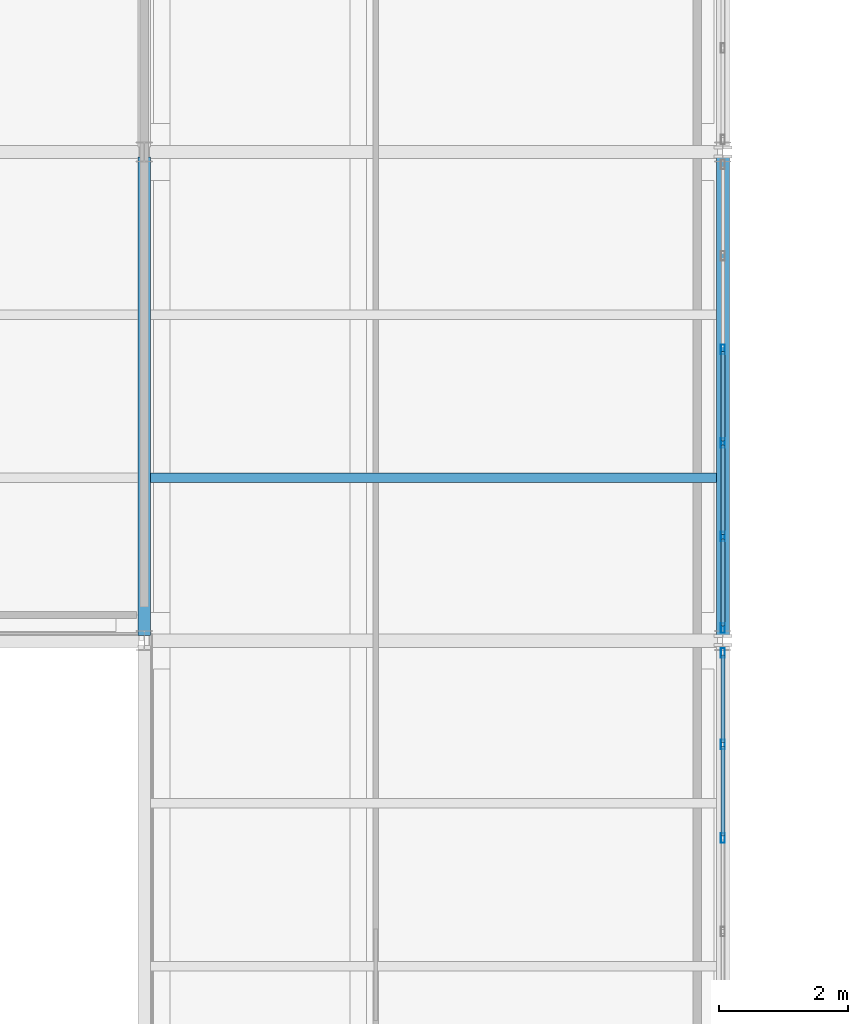
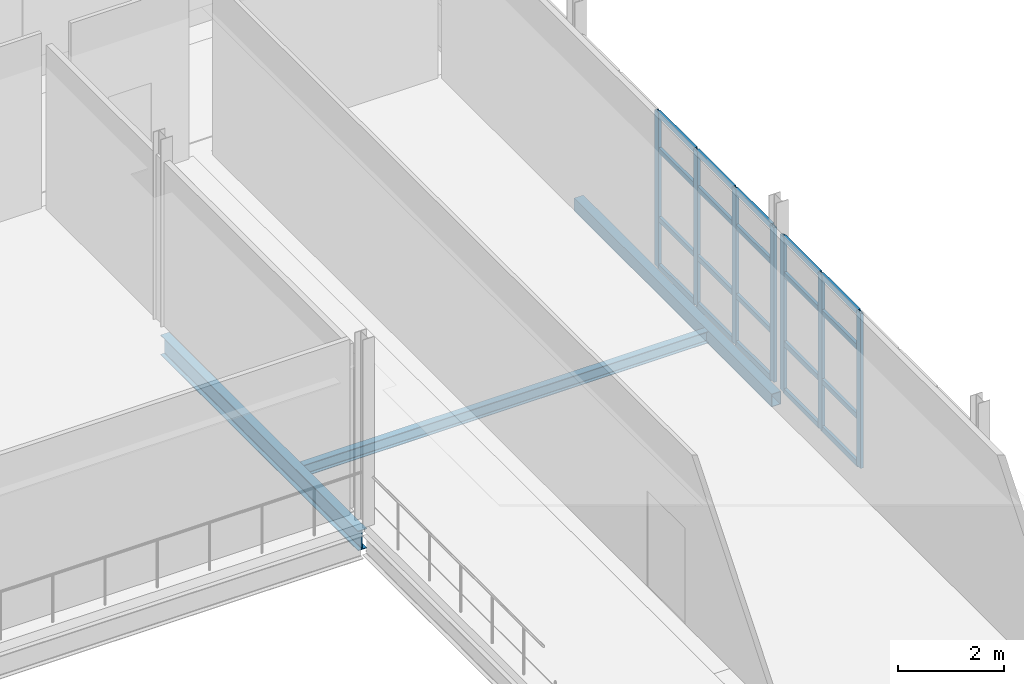
# One storey, part 63 of 96: 27 members, 3 beams, 2 elements without a shape of their own.
"""IFC4 building model written with IfcOpenShell, lengths in metres."""

from ifc_helpers import new_model, si_unit, direction, frame, origin, origin_2d, place, context, subcontext, project, spatial, hollow_rectangle, i_section, extrude, material, material_profile, profile_set, type_object, element, aggregate, save


model = new_model("IFC4")

# Units and contexts
model_context = context("Model", 3, precision=1e-05, world=origin(), true_north=direction((0.0, 1.0)))
body_context = subcontext(model_context, "Body", "Model", "MODEL_VIEW")
ifc_project = project(units=[si_unit("LENGTHUNIT", "METRE"), si_unit("AREAUNIT", "SQUARE_METRE"), si_unit("VOLUMEUNIT", "CUBIC_METRE"), si_unit("PLANEANGLEUNIT", "RADIAN"), si_unit("MASSUNIT", "GRAM", prefix="KILO")], contexts=[model_context])

# Site, building, storey
site_placement = place(None, origin())
site = spatial("IfcSite", under=ifc_project, at=site_placement, CompositionType="ELEMENT")
building_placement = place(site_placement, origin())
building = spatial("IfcBuilding", under=site, at=building_placement, Name="Caisbarro Railhouse Central Library", CompositionType="ELEMENT")
storey_placement = place(building_placement, frame((0.0, 0.0, 13.679931640625)))
storey = spatial("IfcBuildingStorey", under=building, at=storey_placement, Name="L03", CompositionType="ELEMENT", Elevation=13.679931640625)

# Beams
ifc_material_1 = material(Name="Steel ASTM A572 Grade 50", Category="steel")
ifc_material_profile_1 = material_profile(ifc_material_1, i_section(OverallWidth=0.18994140625, OverallDepth=0.45703125, WebThickness=0.009033203125, FlangeThickness=0.014404296875, FilletRadius=0.01806640625, at=origin_2d()), Name="W460X74.0")
ifc_profile_set_1 = profile_set([ifc_material_profile_1], Name="Steel ASTM A572 Grade 50")
beam_type_1 = type_object("IfcBeamType", Name="BM-G08", PredefinedType="BEAM", material=ifc_profile_set_1)
beam_1_placement = place(storey_placement, frame((144.0, 91.280029296875, -0.448486328125), z_axis=(0.0, 1.0, 0.0), x_axis=(-1.0, 0.0, 0.0)))
element("IfcBeam", 1, at=beam_1_placement, inside=storey, type_object=beam_type_1, Name="G08 beam L03 #1900", PredefinedType="BEAM", context=body_context, shape_type="SweptSolid", body=[
    extrude(i_section(OverallWidth=0.18994140625, OverallDepth=0.45703125, WebThickness=0.009033203125, FlangeThickness=0.014404296875, FilletRadius=0.01806640625, at=origin_2d()), origin(), (0.0, 0.0, 1.0), 7.43994140625),
])
ifc_material_profile_2 = material_profile(ifc_material_1, i_section(OverallWidth=0.14794921875, OverallDepth=0.26611328125, WebThickness=0.007568359375, FlangeThickness=0.012939453125, FilletRadius=0.010009765625, at=origin_2d()), Name="W250X44.8")
ifc_profile_set_2 = profile_set([ifc_material_profile_2], Name="Steel ASTM A572 Grade 50")
beam_type_2 = type_object("IfcBeamType", Name="BM-J04", PredefinedType="JOIST", material=ifc_profile_set_2)
beam_2_placement = place(storey_placement, frame((144.094970703125, 93.7333984375, -0.35302734375), z_axis=(1.0, 0.0, 0.0), x_axis=(0.0, 1.0, 0.0)))
element("IfcBeam", 2, at=beam_2_placement, inside=storey, type_object=beam_type_2, Name="J04 beam L03 #1939", PredefinedType="JOIST", context=body_context, shape_type="SweptSolid", body=[
    extrude(i_section(OverallWidth=0.14794921875, OverallDepth=0.26611328125, WebThickness=0.007568359375, FlangeThickness=0.012939453125, FilletRadius=0.010009765625, at=origin_2d()), origin(), (0.0, 0.0, 1.0), 8.804931640625),
])
ifc_material_profile_3 = material_profile(ifc_material_1, hollow_rectangle(XDim=0.199951171875, YDim=0.300048828125, WallThickness=0.012451171875, at=origin_2d()), Name="HSS300X200X12.5")
ifc_profile_set_3 = profile_set([ifc_material_profile_3], Name="Steel ASTM A572 Grade 50")
beam_type_3 = type_object("IfcBeamType", Name="BM-SP02", PredefinedType="SPANDREL", material=ifc_profile_set_3)
beam_3_placement = place(storey_placement, frame((153.0, 91.280029296875, -0.369873046875), z_axis=(0.0, 1.0, 0.0), x_axis=(-1.0, 0.0, 0.0)))
element("IfcBeam", 3, at=beam_3_placement, inside=storey, type_object=beam_type_3, Name="SP02 beam L03 #1906", PredefinedType="SPANDREL", context=body_context, shape_type="SweptSolid", body=[
    extrude(hollow_rectangle(XDim=0.199951171875, YDim=0.300048828125, WallThickness=0.012451171875, at=origin_2d()), origin(), (0.0, 0.0, 1.0), 7.43994140625),
])

# Curtain wall, members
ifc_material_2 = material(Name="Anodised architectural aluminium", Category="aluminium")
curtain_wall_type = type_object("IfcCurtainWallType", Name="CW-CW03", PredefinedType="NOTDEFINED", material=ifc_material_2)
curtain_wall_1_placement = place(storey_placement, origin())
curtain_wall_1 = element("IfcCurtainWall", 4, at=curtain_wall_1_placement, inside=storey, type_object=curtain_wall_type, Name="CW03 curtain wall L03 #152", PredefinedType="NOTDEFINED")
ifc_material_profile_4 = material_profile(ifc_material_2, hollow_rectangle(XDim=0.06494140625, YDim=0.14990234375, WallThickness=0.00390625, at=origin_2d()), Name="ALU-MUL-65X150")
ifc_profile_set_4 = profile_set([ifc_material_profile_4], Name="Anodised architectural aluminium")
member_type_1 = type_object("IfcMemberType", Name="CWM-M02", PredefinedType="MULLION", material=ifc_profile_set_4)
member_1_placement = place(storey_placement, frame((153.0, 88.1279296875, 0.0), z_axis=(0.0, 0.0, 1.0), x_axis=(-1.0, 0.0, 0.0)))
member_1 = element("IfcMember", 5, at=member_1_placement, type_object=member_type_1, Name="CW03 mullion 4", PredefinedType="MULLION", context=body_context, shape_type="SweptSolid", body=[
    extrude(hollow_rectangle(XDim=0.06494140625, YDim=0.14990234375, WallThickness=0.00390625, at=origin_2d()), origin(), (0.0, 0.0, 1.0), 3.56005859375),
])
member_2_placement = place(storey_placement, frame((153.0, 89.583984375, 0.0), z_axis=(0.0, 0.0, 1.0), x_axis=(-1.0, 0.0, 0.0)))
member_2 = element("IfcMember", 6, at=member_2_placement, type_object=member_type_1, Name="CW03 mullion 5", PredefinedType="MULLION", context=body_context, shape_type="SweptSolid", body=[
    extrude(hollow_rectangle(XDim=0.06494140625, YDim=0.14990234375, WallThickness=0.00390625, at=origin_2d()), origin(), (0.0, 0.0, 1.0), 3.56005859375),
])
member_3_placement = place(storey_placement, frame((153.0, 91.007568359375, 0.0), z_axis=(0.0, 0.0, 1.0), x_axis=(-1.0, 0.0, 0.0)))
member_3 = element("IfcMember", 7, at=member_3_placement, type_object=member_type_1, Name="CW03 mullion 6", PredefinedType="MULLION", context=body_context, shape_type="SweptSolid", body=[
    extrude(hollow_rectangle(XDim=0.06494140625, YDim=0.14990234375, WallThickness=0.00390625, at=origin_2d()), origin(), (0.0, 0.0, 1.0), 3.56005859375),
])

curtain_wall_2_placement = place(storey_placement, origin())
curtain_wall_2 = element("IfcCurtainWall", 8, at=curtain_wall_2_placement, inside=storey, type_object=curtain_wall_type, Name="CW03 curtain wall L03 #153", PredefinedType="NOTDEFINED")
member_4_placement = place(storey_placement, frame((153.0, 91.392578125, 0.0), z_axis=(0.0, 0.0, 1.0), x_axis=(-1.0, 0.0, 0.0)))
member_4 = element("IfcMember", 9, at=member_4_placement, type_object=member_type_1, Name="CW03 mullion 1", PredefinedType="MULLION", context=body_context, shape_type="SweptSolid", body=[
    extrude(hollow_rectangle(XDim=0.06494140625, YDim=0.14990234375, WallThickness=0.00390625, at=origin_2d()), origin(), (0.0, 0.0, 1.0), 3.56005859375),
])
member_5_placement = place(storey_placement, frame((153.0, 92.81591796875, 0.0), z_axis=(0.0, 0.0, 1.0), x_axis=(-1.0, 0.0, 0.0)))
member_5 = element("IfcMember", 10, at=member_5_placement, type_object=member_type_1, Name="CW03 mullion 2", PredefinedType="MULLION", context=body_context, shape_type="SweptSolid", body=[
    extrude(hollow_rectangle(XDim=0.06494140625, YDim=0.14990234375, WallThickness=0.00390625, at=origin_2d()), origin(), (0.0, 0.0, 1.0), 3.56005859375),
])
member_6_placement = place(storey_placement, frame((153.0, 94.27197265625, 0.0), z_axis=(0.0, 0.0, 1.0), x_axis=(-1.0, 0.0, 0.0)))
member_6 = element("IfcMember", 11, at=member_6_placement, type_object=member_type_1, Name="CW03 mullion 3", PredefinedType="MULLION", context=body_context, shape_type="SweptSolid", body=[
    extrude(hollow_rectangle(XDim=0.06494140625, YDim=0.14990234375, WallThickness=0.00390625, at=origin_2d()), origin(), (0.0, 0.0, 1.0), 3.56005859375),
])
member_7_placement = place(storey_placement, frame((153.0, 95.72802734375, 0.0), z_axis=(0.0, 0.0, 1.0), x_axis=(-1.0, 0.0, 0.0)))
member_7 = element("IfcMember", 12, at=member_7_placement, type_object=member_type_1, Name="CW03 mullion 4", PredefinedType="MULLION", context=body_context, shape_type="SweptSolid", body=[
    extrude(hollow_rectangle(XDim=0.06494140625, YDim=0.14990234375, WallThickness=0.00390625, at=origin_2d()), origin(), (0.0, 0.0, 1.0), 3.56005859375),
])

# Member
ifc_material_profile_5 = material_profile(ifc_material_2, hollow_rectangle(XDim=0.06494140625, YDim=0.1201171875, WallThickness=0.00341796875, at=origin_2d()), Name="ALU-TRN-65X120")
ifc_profile_set_5 = profile_set([ifc_material_profile_5], Name="Anodised architectural aluminium")
member_type_2 = type_object("IfcMemberType", Name="CWT-T02", PredefinedType="USERDEFINED", material=ifc_profile_set_5)
member_8_placement = place(storey_placement, frame((153.0, 88.160400390625, 0.032470703125), z_axis=(0.0, 1.0, 0.0), x_axis=(-1.0, 0.0, 0.0)))
member_8 = element("IfcMember", 13, at=member_8_placement, type_object=member_type_2, Name="CW03 transom 4.1", ObjectType="TRANSOM", PredefinedType="USERDEFINED", context=body_context, shape_type="SweptSolid", body=[
    extrude(hollow_rectangle(XDim=0.06494140625, YDim=0.1201171875, WallThickness=0.00341796875, at=origin_2d()), origin(), (0.0, 0.0, 1.0), 1.39111328125),
])

member_9_placement = place(storey_placement, frame((153.0, 88.160400390625, 1.1201171875), z_axis=(0.0, 1.0, 0.0), x_axis=(-1.0, 0.0, 0.0)))
member_9 = element("IfcMember", 14, at=member_9_placement, type_object=member_type_2, Name="CW03 transom 4.2", ObjectType="TRANSOM", PredefinedType="USERDEFINED", context=body_context, shape_type="SweptSolid", body=[
    extrude(hollow_rectangle(XDim=0.06494140625, YDim=0.1201171875, WallThickness=0.00341796875, at=origin_2d()), origin(), (0.0, 0.0, 1.0), 1.39111328125),
])

member_10_placement = place(storey_placement, frame((153.0, 88.160400390625, 2.7099609375), z_axis=(0.0, 1.0, 0.0), x_axis=(-1.0, 0.0, 0.0)))
member_10 = element("IfcMember", 15, at=member_10_placement, type_object=member_type_2, Name="CW03 transom 4.3", ObjectType="TRANSOM", PredefinedType="USERDEFINED", context=body_context, shape_type="SweptSolid", body=[
    extrude(hollow_rectangle(XDim=0.06494140625, YDim=0.1201171875, WallThickness=0.00341796875, at=origin_2d()), origin(), (0.0, 0.0, 1.0), 1.39111328125),
])

member_11_placement = place(storey_placement, frame((153.0, 88.160400390625, 3.527587890625), z_axis=(0.0, 1.0, 0.0), x_axis=(-1.0, 0.0, 0.0)))
member_11 = element("IfcMember", 16, at=member_11_placement, type_object=member_type_2, Name="CW03 transom 4.4", ObjectType="TRANSOM", PredefinedType="USERDEFINED", context=body_context, shape_type="SweptSolid", body=[
    extrude(hollow_rectangle(XDim=0.06494140625, YDim=0.1201171875, WallThickness=0.00341796875, at=origin_2d()), origin(), (0.0, 0.0, 1.0), 1.39111328125),
])

member_12_placement = place(storey_placement, frame((153.0, 89.616455078125, 0.032470703125), z_axis=(0.0, 1.0, 0.0), x_axis=(-1.0, 0.0, 0.0)))
member_12 = element("IfcMember", 17, at=member_12_placement, type_object=member_type_2, Name="CW03 transom 5.1", ObjectType="TRANSOM", PredefinedType="USERDEFINED", context=body_context, shape_type="SweptSolid", body=[
    extrude(hollow_rectangle(XDim=0.06494140625, YDim=0.1201171875, WallThickness=0.00341796875, at=origin_2d()), origin(), (0.0, 0.0, 1.0), 1.358642578125),
])

member_13_placement = place(storey_placement, frame((153.0, 89.616455078125, 1.1201171875), z_axis=(0.0, 1.0, 0.0), x_axis=(-1.0, 0.0, 0.0)))
member_13 = element("IfcMember", 18, at=member_13_placement, type_object=member_type_2, Name="CW03 transom 5.2", ObjectType="TRANSOM", PredefinedType="USERDEFINED", context=body_context, shape_type="SweptSolid", body=[
    extrude(hollow_rectangle(XDim=0.06494140625, YDim=0.1201171875, WallThickness=0.00341796875, at=origin_2d()), origin(), (0.0, 0.0, 1.0), 1.358642578125),
])

member_14_placement = place(storey_placement, frame((153.0, 89.616455078125, 2.7099609375), z_axis=(0.0, 1.0, 0.0), x_axis=(-1.0, 0.0, 0.0)))
member_14 = element("IfcMember", 19, at=member_14_placement, type_object=member_type_2, Name="CW03 transom 5.3", ObjectType="TRANSOM", PredefinedType="USERDEFINED", context=body_context, shape_type="SweptSolid", body=[
    extrude(hollow_rectangle(XDim=0.06494140625, YDim=0.1201171875, WallThickness=0.00341796875, at=origin_2d()), origin(), (0.0, 0.0, 1.0), 1.358642578125),
])

member_15_placement = place(storey_placement, frame((153.0, 89.616455078125, 3.527587890625), z_axis=(0.0, 1.0, 0.0), x_axis=(-1.0, 0.0, 0.0)))
member_15 = element("IfcMember", 20, at=member_15_placement, type_object=member_type_2, Name="CW03 transom 5.4", ObjectType="TRANSOM", PredefinedType="USERDEFINED", context=body_context, shape_type="SweptSolid", body=[
    extrude(hollow_rectangle(XDim=0.06494140625, YDim=0.1201171875, WallThickness=0.00341796875, at=origin_2d()), origin(), (0.0, 0.0, 1.0), 1.358642578125),
])

aggregate(curtain_wall_1, [member_1, member_2, member_3, member_8, member_9, member_10, member_11, member_12, member_13, member_14, member_15])

member_16_placement = place(storey_placement, frame((153.0, 91.425048828125, 0.032470703125), z_axis=(0.0, 1.0, 0.0), x_axis=(-1.0, 0.0, 0.0)))
member_16 = element("IfcMember", 21, at=member_16_placement, type_object=member_type_2, Name="CW03 transom 1.1", ObjectType="TRANSOM", PredefinedType="USERDEFINED", context=body_context, shape_type="SweptSolid", body=[
    extrude(hollow_rectangle(XDim=0.06494140625, YDim=0.1201171875, WallThickness=0.00341796875, at=origin_2d()), origin(), (0.0, 0.0, 1.0), 1.3583984375),
])

member_17_placement = place(storey_placement, frame((153.0, 91.425048828125, 1.1201171875), z_axis=(0.0, 1.0, 0.0), x_axis=(-1.0, 0.0, 0.0)))
member_17 = element("IfcMember", 22, at=member_17_placement, type_object=member_type_2, Name="CW03 transom 1.2", ObjectType="TRANSOM", PredefinedType="USERDEFINED", context=body_context, shape_type="SweptSolid", body=[
    extrude(hollow_rectangle(XDim=0.06494140625, YDim=0.1201171875, WallThickness=0.00341796875, at=origin_2d()), origin(), (0.0, 0.0, 1.0), 1.3583984375),
])

member_18_placement = place(storey_placement, frame((153.0, 91.425048828125, 2.7099609375), z_axis=(0.0, 1.0, 0.0), x_axis=(-1.0, 0.0, 0.0)))
member_18 = element("IfcMember", 23, at=member_18_placement, type_object=member_type_2, Name="CW03 transom 1.3", ObjectType="TRANSOM", PredefinedType="USERDEFINED", context=body_context, shape_type="SweptSolid", body=[
    extrude(hollow_rectangle(XDim=0.06494140625, YDim=0.1201171875, WallThickness=0.00341796875, at=origin_2d()), origin(), (0.0, 0.0, 1.0), 1.3583984375),
])

member_19_placement = place(storey_placement, frame((153.0, 91.425048828125, 3.527587890625), z_axis=(0.0, 1.0, 0.0), x_axis=(-1.0, 0.0, 0.0)))
member_19 = element("IfcMember", 24, at=member_19_placement, type_object=member_type_2, Name="CW03 transom 1.4", ObjectType="TRANSOM", PredefinedType="USERDEFINED", context=body_context, shape_type="SweptSolid", body=[
    extrude(hollow_rectangle(XDim=0.06494140625, YDim=0.1201171875, WallThickness=0.00341796875, at=origin_2d()), origin(), (0.0, 0.0, 1.0), 1.3583984375),
])

member_20_placement = place(storey_placement, frame((153.0, 92.848388671875, 0.032470703125), z_axis=(0.0, 1.0, 0.0), x_axis=(-1.0, 0.0, 0.0)))
member_20 = element("IfcMember", 25, at=member_20_placement, type_object=member_type_2, Name="CW03 transom 2.1", ObjectType="TRANSOM", PredefinedType="USERDEFINED", context=body_context, shape_type="SweptSolid", body=[
    extrude(hollow_rectangle(XDim=0.06494140625, YDim=0.1201171875, WallThickness=0.00341796875, at=origin_2d()), origin(), (0.0, 0.0, 1.0), 1.39111328125),
])

member_21_placement = place(storey_placement, frame((153.0, 92.848388671875, 1.1201171875), z_axis=(0.0, 1.0, 0.0), x_axis=(-1.0, 0.0, 0.0)))
member_21 = element("IfcMember", 26, at=member_21_placement, type_object=member_type_2, Name="CW03 transom 2.2", ObjectType="TRANSOM", PredefinedType="USERDEFINED", context=body_context, shape_type="SweptSolid", body=[
    extrude(hollow_rectangle(XDim=0.06494140625, YDim=0.1201171875, WallThickness=0.00341796875, at=origin_2d()), origin(), (0.0, 0.0, 1.0), 1.39111328125),
])

member_22_placement = place(storey_placement, frame((153.0, 92.848388671875, 2.7099609375), z_axis=(0.0, 1.0, 0.0), x_axis=(-1.0, 0.0, 0.0)))
member_22 = element("IfcMember", 27, at=member_22_placement, type_object=member_type_2, Name="CW03 transom 2.3", ObjectType="TRANSOM", PredefinedType="USERDEFINED", context=body_context, shape_type="SweptSolid", body=[
    extrude(hollow_rectangle(XDim=0.06494140625, YDim=0.1201171875, WallThickness=0.00341796875, at=origin_2d()), origin(), (0.0, 0.0, 1.0), 1.39111328125),
])

member_23_placement = place(storey_placement, frame((153.0, 92.848388671875, 3.527587890625), z_axis=(0.0, 1.0, 0.0), x_axis=(-1.0, 0.0, 0.0)))
member_23 = element("IfcMember", 28, at=member_23_placement, type_object=member_type_2, Name="CW03 transom 2.4", ObjectType="TRANSOM", PredefinedType="USERDEFINED", context=body_context, shape_type="SweptSolid", body=[
    extrude(hollow_rectangle(XDim=0.06494140625, YDim=0.1201171875, WallThickness=0.00341796875, at=origin_2d()), origin(), (0.0, 0.0, 1.0), 1.39111328125),
])

member_24_placement = place(storey_placement, frame((153.0, 94.304443359375, 0.032470703125), z_axis=(0.0, 1.0, 0.0), x_axis=(-1.0, 0.0, 0.0)))
member_24 = element("IfcMember", 29, at=member_24_placement, type_object=member_type_2, Name="CW03 transom 3.1", ObjectType="TRANSOM", PredefinedType="USERDEFINED", context=body_context, shape_type="SweptSolid", body=[
    extrude(hollow_rectangle(XDim=0.06494140625, YDim=0.1201171875, WallThickness=0.00341796875, at=origin_2d()), origin(), (0.0, 0.0, 1.0), 1.39111328125),
])

member_25_placement = place(storey_placement, frame((153.0, 94.304443359375, 1.1201171875), z_axis=(0.0, 1.0, 0.0), x_axis=(-1.0, 0.0, 0.0)))
member_25 = element("IfcMember", 30, at=member_25_placement, type_object=member_type_2, Name="CW03 transom 3.2", ObjectType="TRANSOM", PredefinedType="USERDEFINED", context=body_context, shape_type="SweptSolid", body=[
    extrude(hollow_rectangle(XDim=0.06494140625, YDim=0.1201171875, WallThickness=0.00341796875, at=origin_2d()), origin(), (0.0, 0.0, 1.0), 1.39111328125),
])

member_26_placement = place(storey_placement, frame((153.0, 94.304443359375, 2.7099609375), z_axis=(0.0, 1.0, 0.0), x_axis=(-1.0, 0.0, 0.0)))
member_26 = element("IfcMember", 31, at=member_26_placement, type_object=member_type_2, Name="CW03 transom 3.3", ObjectType="TRANSOM", PredefinedType="USERDEFINED", context=body_context, shape_type="SweptSolid", body=[
    extrude(hollow_rectangle(XDim=0.06494140625, YDim=0.1201171875, WallThickness=0.00341796875, at=origin_2d()), origin(), (0.0, 0.0, 1.0), 1.39111328125),
])

member_27_placement = place(storey_placement, frame((153.0, 94.304443359375, 3.527587890625), z_axis=(0.0, 1.0, 0.0), x_axis=(-1.0, 0.0, 0.0)))
member_27 = element("IfcMember", 32, at=member_27_placement, type_object=member_type_2, Name="CW03 transom 3.4", ObjectType="TRANSOM", PredefinedType="USERDEFINED", context=body_context, shape_type="SweptSolid", body=[
    extrude(hollow_rectangle(XDim=0.06494140625, YDim=0.1201171875, WallThickness=0.00341796875, at=origin_2d()), origin(), (0.0, 0.0, 1.0), 1.39111328125),
])

aggregate(curtain_wall_2, [member_4, member_5, member_6, member_7, member_16, member_17, member_18, member_19, member_20, member_21, member_22, member_23, member_24, member_25, member_26, member_27])

save(model, "model.ifc")
